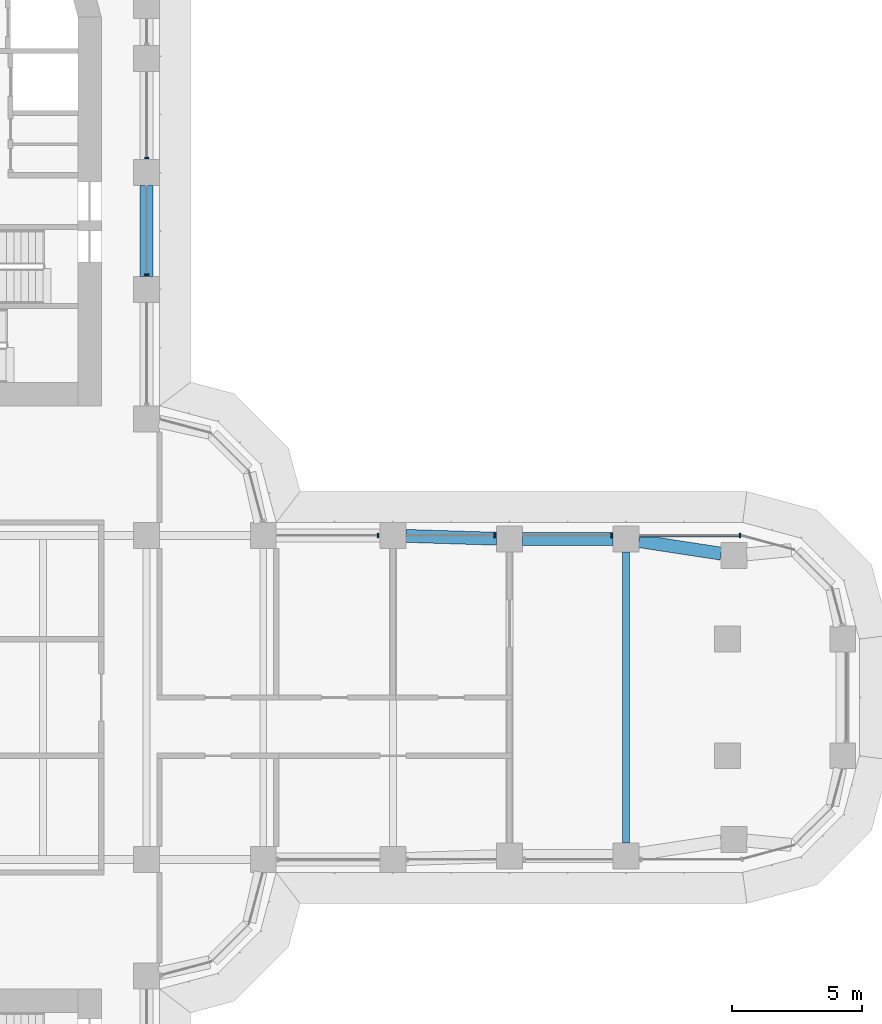
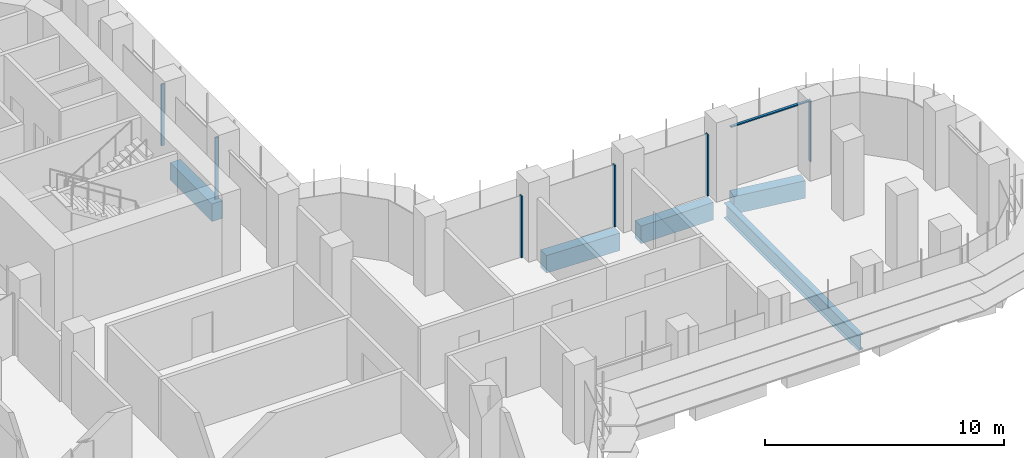
# One storey, part 9 of 23: 7 members, 5 beams, 2 elements without a shape of their own.
"""IFC4 building model written with IfcOpenShell, lengths in metres."""

from ifc_helpers import new_model, si_unit, direction, frame, origin, origin_2d, place, context, subcontext, project, spatial, polyline, rectangle, i_section, outline, extrude, source, transform, mapped, material, material_profile, profile_set, type_object, element, aggregate, save


model = new_model("IFC4")

# Units and contexts
model_context = context("Model", 3, precision=1e-05, world=origin(), true_north=direction((0.0, 1.0)))
body_context = subcontext(model_context, "Body", "Model", "MODEL_VIEW")
ifc_project = project(units=[si_unit("LENGTHUNIT", "METRE"), si_unit("AREAUNIT", "SQUARE_METRE"), si_unit("VOLUMEUNIT", "CUBIC_METRE"), si_unit("PLANEANGLEUNIT", "RADIAN"), si_unit("MASSUNIT", "GRAM", prefix="KILO")], contexts=[model_context])

# Site, building, storey
site_placement = place(None, origin())
site = spatial("IfcSite", under=ifc_project, at=site_placement, CompositionType="ELEMENT")
building_placement = place(site_placement, origin())
building = spatial("IfcBuilding", under=site, at=building_placement, Name="Zarbagh Exchange Tower", CompositionType="ELEMENT")
storey_placement = place(building_placement, frame((0.0, 0.0, 73.199951171875)))
storey = spatial("IfcBuildingStorey", under=building, at=storey_placement, Name="L16", CompositionType="ELEMENT", Elevation=73.199951171875)

# Beams
ifc_material_1 = material(Name="Steel ASTM A992 Gr 50", Category="steel")
ifc_material_profile_1 = material_profile(ifc_material_1, i_section(OverallWidth=0.2666015625, OverallDepth=0.76708984375, WebThickness=0.014892578125, FlangeThickness=0.023681640625, at=origin_2d()), Name="W30X124")
ifc_profile_set_1 = profile_set([ifc_material_profile_1], Name="Steel ASTM A992 Gr 50")
beam_type_1 = type_object("IfcBeamType", Name="Floor beam W30X124", PredefinedType="BEAM", material=ifc_profile_set_1)
beam_1_placement = place(storey_placement, frame((24.75, -5.610107421875, -0.533447265625), z_axis=(0.0, 1.0, 0.0), x_axis=(-1.0, 0.0, 0.0)))
element("IfcBeam", 1, at=beam_1_placement, inside=storey, type_object=beam_type_1, Name="Steel floor beam", PredefinedType="BEAM", context=body_context, shape_type="SweptSolid", body=[
    extrude(i_section(OverallWidth=0.2666015625, OverallDepth=0.76708984375, WebThickness=0.014892578125, FlangeThickness=0.023681640625, at=origin_2d()), origin(), (0.0, 0.0, 1.0), 11.22021484375),
])
ifc_material_2 = material(Name="Concrete C60/75", Category="concrete")
ifc_material_profile_2 = material_profile(ifc_material_2, rectangle(XDim=0.5, YDim=0.89990234375, at=origin_2d()), Name="RC spandrel beam 500 x 900 C60/75")
ifc_profile_set_2 = profile_set([ifc_material_profile_2], Name="Concrete C60/75")
beam_type_2 = type_object("IfcBeamType", Name="RC spandrel beam 500 x 900 C60/75", PredefinedType="SPANDREL", material=ifc_profile_set_2)
beam_2_placement = place(storey_placement, frame((6.25, 19.75, -0.599853515625), z_axis=(0.0, -1.0, 0.0), x_axis=(1.0, 0.0, 0.0)))
element("IfcBeam", 2, at=beam_2_placement, inside=storey, type_object=beam_type_2, Name="RC spandrel beam", PredefinedType="SPANDREL", context=body_context, shape_type="SweptSolid", body=[
    extrude(rectangle(XDim=0.5, YDim=0.89990234375, at=origin_2d()), origin(), (0.0, 0.0, 1.0), 3.5),
])
beam_3_placement = place(storey_placement, frame((16.249755859375, 6.234619140625, -0.599853515625), z_axis=(0.999514385708, -0.031160756759, 0.0), x_axis=(0.031160756759, 0.999514385708, 0.0)))
element("IfcBeam", 3, at=beam_3_placement, inside=storey, type_object=beam_type_2, Name="RC spandrel beam", PredefinedType="SPANDREL", context=body_context, shape_type="SweptSolid", body=[
    extrude(rectangle(XDim=0.5, YDim=0.89990234375, at=origin_2d()), origin(), (0.0, 0.0, 1.0), 3.502197265625),
])
beam_4_placement = place(storey_placement, frame((20.75, 6.110107421875, -0.599853515625), z_axis=(1.0, 0.0, 0.0), x_axis=(0.0, 1.0, 0.0)))
element("IfcBeam", 4, at=beam_4_placement, inside=storey, type_object=beam_type_2, Name="RC spandrel beam", PredefinedType="SPANDREL", context=body_context, shape_type="SweptSolid", body=[
    extrude(rectangle(XDim=0.5, YDim=0.89990234375, at=origin_2d()), origin(), (0.0, 0.0, 1.0), 3.5),
])
beam_5_placement = place(storey_placement, frame((25.244384765625, 6.034423828125, -0.599853515625), z_axis=(0.988545350976, -0.150924116903, 0.0), x_axis=(0.150924116903, 0.988545350976, 0.0)))
element("IfcBeam", 5, at=beam_5_placement, inside=storey, type_object=beam_type_2, Name="RC spandrel beam", PredefinedType="SPANDREL", context=body_context, shape_type="SweptSolid", body=[
    extrude(rectangle(XDim=0.5, YDim=0.89990234375, at=origin_2d()), origin(), (0.0, 0.0, 1.0), 3.2060546875),
])

# Curtain wall, members
ifc_material_3 = material(Name="Anodised aluminium frame and glazing", Category="aluminium")
curtain_wall_type = type_object("IfcCurtainWallType", Name="CWA Ribbon glazing, lower zones", PredefinedType="NOTDEFINED", material=ifc_material_3)
curtain_wall_1_placement = place(storey_placement, origin())
curtain_wall_1 = element("IfcCurtainWall", 6, at=curtain_wall_1_placement, inside=storey, type_object=curtain_wall_type, Name="CWA16 curtain wall", PredefinedType="NOTDEFINED")
ifc_material_4 = material(Name="Anodised aluminium frame", Category="aluminium")
member_type_1 = type_object("IfcMemberType", Name="MUA Mullion, anodised aluminium frame", PredefinedType="MULLION", material=ifc_material_4)
shared_shape_1 = source(origin(), body_context, "Body", "SweptSolid", [
    extrude(outline(polyline([(0.0, -0.080078125), (0.06005859375, -0.080078125), (0.06005859375, 0.080078125), (0.0, 0.080078125), (0.0, -0.080078125)])), origin(), (0.0, 0.0, 1.0), 3.14990234375),
])
placement = place(storey_placement, origin())
member_1 = element("IfcMember", 7, at=placement, type_object=member_type_1, Name="CWA16 mullion 1.1", PredefinedType="MULLION", context=body_context, shape_type="MappedRepresentation", body=[
    mapped(shared_shape_1, transform((29.18408203125, 6.25, 0.0), x_axis=(-1.0, 0.0, 0.0), y_axis=(0.0, -1.0, 0.0), z_axis=(0.0, 0.0, 1.0))),
])
member_2 = element("IfcMember", 8, at=placement, type_object=member_type_1, Name="CWA16 mullion 2.1", PredefinedType="MULLION", context=body_context, shape_type="MappedRepresentation", body=[
    mapped(shared_shape_1, transform((24.2099609375, 6.25, 0.0), x_axis=(-1.0, 0.0, 0.0), y_axis=(0.0, -1.0, 0.0), z_axis=(0.0, 0.0, 1.0))),
])
member_3 = element("IfcMember", 9, at=placement, type_object=member_type_1, Name="CWA16 mullion 3.1", PredefinedType="MULLION", context=body_context, shape_type="MappedRepresentation", body=[
    mapped(shared_shape_1, transform((19.7099609375, 6.25, 0.0), x_axis=(-1.0, 0.0, 0.0), y_axis=(0.0, -1.0, 0.0), z_axis=(0.0, 0.0, 1.0))),
])
member_4 = element("IfcMember", 10, at=placement, type_object=member_type_1, Name="CWA16 mullion 4.1", PredefinedType="MULLION", context=body_context, shape_type="MappedRepresentation", body=[
    mapped(shared_shape_1, transform((15.2099609375, 6.25, 0.0), x_axis=(-1.0, 0.0, 0.0), y_axis=(0.0, -1.0, 0.0), z_axis=(0.0, 0.0, 1.0))),
])

curtain_wall_2_placement = place(storey_placement, origin())
curtain_wall_2 = element("IfcCurtainWall", 11, at=curtain_wall_2_placement, inside=storey, type_object=curtain_wall_type, Name="CWA20 curtain wall", PredefinedType="NOTDEFINED")
member_5 = element("IfcMember", 12, at=placement, type_object=member_type_1, Name="CWA20 mullion 2.1", PredefinedType="MULLION", context=body_context, shape_type="MappedRepresentation", body=[
    mapped(shared_shape_1, transform((6.25, 16.2900390625, 0.0), x_axis=(0.0, 1.0, 0.0), y_axis=(-1.0, 0.0, 0.0), z_axis=(0.0, 0.0, 1.0))),
])
member_6 = element("IfcMember", 13, at=placement, type_object=member_type_1, Name="CWA20 mullion 3.1", PredefinedType="MULLION", context=body_context, shape_type="MappedRepresentation", body=[
    mapped(shared_shape_1, transform((6.25, 20.7900390625, 0.0), x_axis=(0.0, 1.0, 0.0), y_axis=(-1.0, 0.0, 0.0), z_axis=(0.0, 0.0, 1.0))),
])
aggregate(curtain_wall_2, [member_5, member_6])

# Member
member_type_2 = type_object("IfcMemberType", Name="TRA Transom, anodised aluminium frame", PredefinedType="USERDEFINED", material=ifc_material_4)
shared_shape_2 = source(origin(), body_context, "Body", "SweptSolid", [
    extrude(outline(polyline([(-0.06005859375, -0.06005859375), (0.0, -0.06005859375), (0.0, 0.06005859375), (-0.06005859375, 0.06005859375), (-0.06005859375, -0.06005859375)])), origin(), (0.0, 0.0, 1.0), 3.834228515625),
])
member_7 = element("IfcMember", 14, at=placement, type_object=member_type_2, Name="CWA16 transom 1.1", ObjectType="TRANSOM", PredefinedType="USERDEFINED", context=body_context, shape_type="MappedRepresentation", body=[
    mapped(shared_shape_2, transform((29.124267578125, 6.25, 3.150146484375), x_axis=(0.0, 0.0, 1.0), y_axis=(0.0, 1.0, 0.0), z_axis=(-1.0, 0.0, 0.0))),
])

aggregate(curtain_wall_1, [member_1, member_7, member_2, member_3, member_4])

save(model, "model.ifc")
